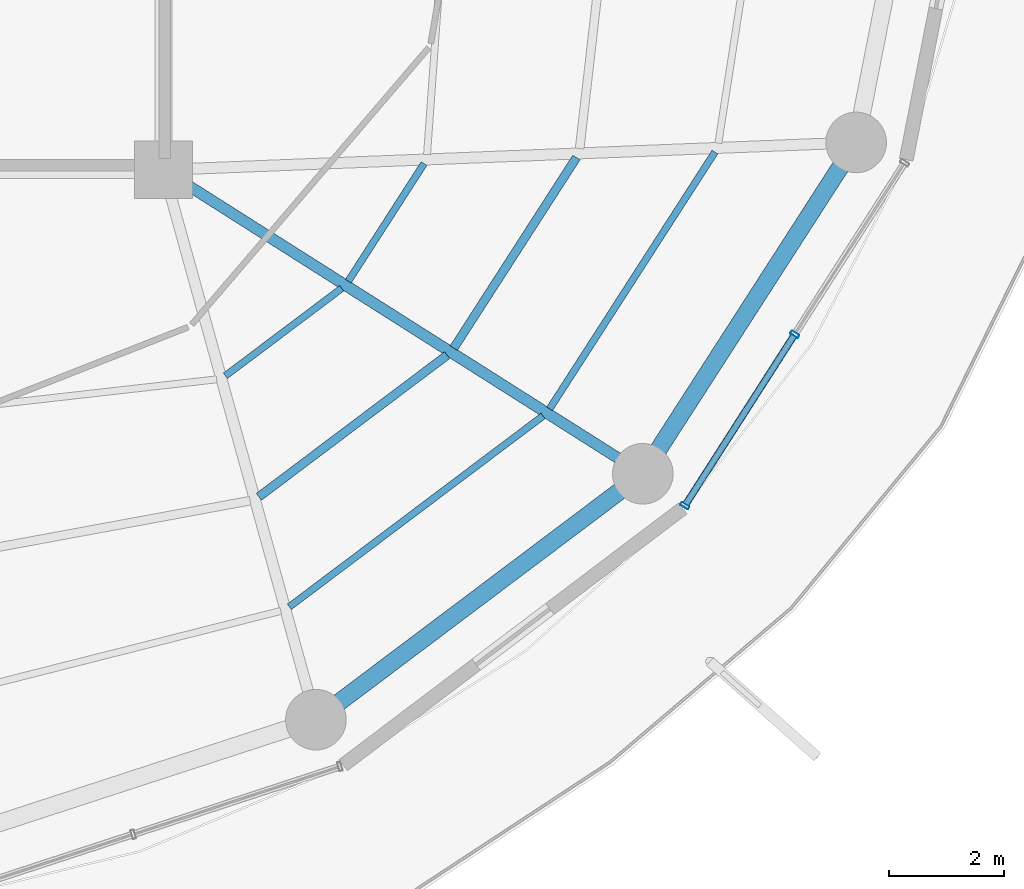
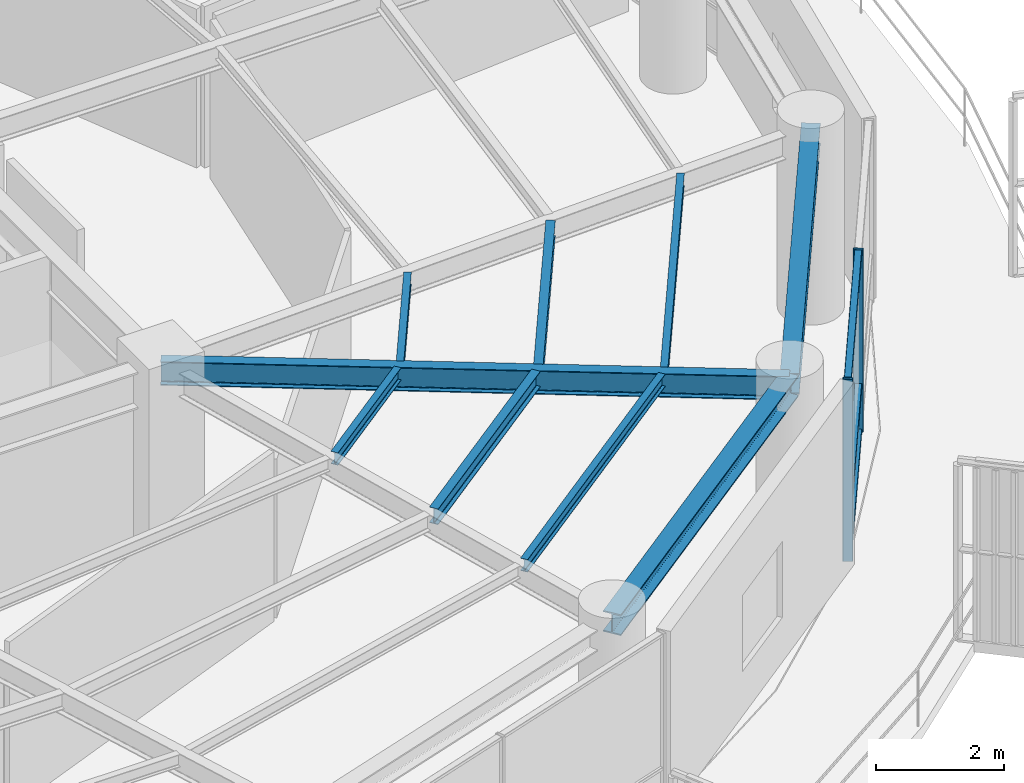
# One storey, part 11 of 31: 9 beams, 5 members, 1 element without a shape of its own.
"""IFC4 building model written with IfcOpenShell, lengths in metres."""

import ifcopenshell
import ifcopenshell.guid

model = None  # the IFC model being written
_history = None  # IfcOwnerHistory: only IFC2X3 demands one
_inside = {}  # id of a spatial element -> (the spatial element, [elements in it])
_under = {}  # id of a project, library or spatial element -> (it, [spatial elements below it])
_declared = {}  # id of a project -> (the project, [libraries it declares])
_typed = {}  # id of a type object -> (the type object, [elements of that type])
_made_of = {}  # id of a material, layer set ... -> (it, [elements and type objects made of it])


def new_model(schema):
    """Start an empty IFC model of exactly this schema.

    Asked for "IFC4X3", IfcOpenShell would pick the latest addendum, in which some entities
    have other attributes; the version numbers below select the first issue.
    IFC2X3 requires an IfcOwnerHistory on every rooted entity: one is made here for all.
    """
    global model, _history
    if schema == "IFC4X3":
        model = ifcopenshell.file(schema_version=(4, 3, 0, 0))
    else:
        model = ifcopenshell.file(schema=schema)
    _inside.clear()
    _under.clear()
    _declared.clear()
    _typed.clear()
    _made_of.clear()
    _history = None
    if model.schema == "IFC2X3":
        org = make("IfcOrganization", Name="unknown")
        user = make(
            "IfcPersonAndOrganization",
            ThePerson=make("IfcPerson", FamilyName="unknown"),
            TheOrganization=org,
        )
        app = make(
            "IfcApplication",
            ApplicationDeveloper=org,
            Version="unknown",
            ApplicationFullName="unknown",
            ApplicationIdentifier="unknown",
        )
        _history = make(
            "IfcOwnerHistory",
            OwningUser=user,
            OwningApplication=app,
            ChangeAction="ADDED",
            CreationDate=0,
        )
    return model


def make(cls, **values):
    """One entity of the class cls with the attributes given. An attribute that is None is left unset."""
    return model.create_entity(
        cls, **{name: value for name, value in values.items() if value is not None}
    )


def rooted(cls, **values):
    """An entity with a GlobalId (a new one), such as an element, a storey or a relation."""
    return make(cls, GlobalId=ifcopenshell.guid.new(), OwnerHistory=_history, **values)


def si_unit(unit_type, name, prefix=None):
    """IfcSIUnit, for example si_unit("LENGTHUNIT", "METRE", prefix="MILLI")."""
    return make("IfcSIUnit", UnitType=unit_type, Prefix=prefix, Name=name)


def assignment(units):
    """IfcUnitAssignment: the units of a project."""
    return None if units is None else make("IfcUnitAssignment", Units=units)


def point(xyz):
    """IfcCartesianPoint."""
    return None if xyz is None else make("IfcCartesianPoint", Coordinates=xyz)


def direction(xyz):
    """IfcDirection."""
    return None if xyz is None else make("IfcDirection", DirectionRatios=xyz)


def frame(location, z_axis=None, x_axis=None):
    """IfcAxis2Placement3D, a coordinate frame: its origin and axes. An axis left out is left unset."""
    return make(
        "IfcAxis2Placement3D",
        Location=point(location),
        Axis=direction(z_axis),
        RefDirection=direction(x_axis),
    )


def frame_2d(location, x_axis=None):
    """IfcAxis2Placement2D, a coordinate frame in the plane: its origin and x axis."""
    return make(
        "IfcAxis2Placement2D", Location=point(location), RefDirection=direction(x_axis)
    )


def origin():
    """The frame at (0, 0, 0) with its axes left unset."""
    return frame((0.0, 0.0, 0.0))


def origin_2d():
    """The frame at (0, 0) in the plane with its x axis left unset."""
    return frame_2d((0.0, 0.0))


def place(relative_to, where):
    """IfcLocalPlacement: puts the frame where relative to a parent placement (None: the world)."""
    return make(
        "IfcLocalPlacement", PlacementRelTo=relative_to, RelativePlacement=where
    )


def context(
    kind, dimensions, precision=None, world=None, true_north=None, identifier=None
):
    """IfcGeometricRepresentationContext, for example the 3D "Model" context."""
    return make(
        "IfcGeometricRepresentationContext",
        ContextIdentifier=identifier,
        ContextType=kind,
        CoordinateSpaceDimension=dimensions,
        Precision=precision,
        WorldCoordinateSystem=world,
        TrueNorth=true_north,
    )


def subcontext(parent, identifier, kind, view, scale=None):
    """IfcGeometricRepresentationSubContext, for example "Body" below "Model"."""
    return make(
        "IfcGeometricRepresentationSubContext",
        ContextIdentifier=identifier,
        ContextType=kind,
        ParentContext=parent,
        TargetScale=scale,
        TargetView=view,
    )


def project(units=None, contexts=None):
    """IfcProject with its units and contexts."""
    return rooted(
        "IfcProject",
        Name="project",
        RepresentationContexts=contexts,
        UnitsInContext=assignment(units),
    )


def spatial(cls, under=None, at=None, **own):
    """A site, building, storey or space (cls), placed at a placement, below another one or the project."""
    s = rooted(cls, ObjectPlacement=at, **own)
    if under is not None:
        _under.setdefault(under.id(), (under, []))[1].append(s)
    return s


def profile(cls, at=None, kind="AREA", **sizes):
    """A parametric profile (cls). Its sizes go by their IFC names, for example OverallWidth=200.0."""
    return make(cls, ProfileType=kind, Position=at, **sizes)


def hollow_rectangle(**sizes):
    """IfcRectangleHollowProfileDef."""
    return profile("IfcRectangleHollowProfileDef", **sizes)


def i_section(**sizes):
    """IfcIShapeProfileDef."""
    return profile("IfcIShapeProfileDef", **sizes)


def extrude(swept, where, along, depth):
    """IfcExtrudedAreaSolid: the profile swept, set in the frame where, extruded along a direction by depth."""
    return make(
        "IfcExtrudedAreaSolid",
        SweptArea=swept,
        Position=where,
        ExtrudedDirection=direction(along),
        Depth=depth,
    )


def shape(context_of_items, identifier, shape_type, items):
    """IfcShapeRepresentation: the items that make up one representation, for example the "Body"."""
    return make(
        "IfcShapeRepresentation",
        ContextOfItems=context_of_items,
        RepresentationIdentifier=identifier,
        RepresentationType=shape_type,
        Items=items,
    )


def material(Name=None, Category=None):
    """IfcMaterial."""
    return make("IfcMaterial", Name=Name, Category=Category)


def layer(
    of_material, thickness, ventilated=None, Name=None, Category=None, Priority=None
):
    """IfcMaterialLayer: one layer of a wall or slab, of a material (None: an air gap)."""
    return make(
        "IfcMaterialLayer",
        Material=of_material,
        LayerThickness=thickness,
        IsVentilated=ventilated,
        Name=Name,
        Category=Category,
        Priority=Priority,
    )


def layer_set(layers, Name=None):
    """IfcMaterialLayerSet."""
    return make("IfcMaterialLayerSet", MaterialLayers=layers, LayerSetName=Name)


def material_profile(
    of_material, cross_section, Name=None, Category=None, Priority=None
):
    """IfcMaterialProfile: a cross section and its material."""
    return make(
        "IfcMaterialProfile",
        Name=Name,
        Material=of_material,
        Profile=cross_section,
        Priority=Priority,
        Category=Category,
    )


def profile_set(profiles, Name=None, composite=None):
    """IfcMaterialProfileSet."""
    return make(
        "IfcMaterialProfileSet",
        Name=Name,
        MaterialProfiles=profiles,
        CompositeProfile=composite,
    )


def made_of(thing, what):
    """Note that an element or type object is made of a material, layer set ...; save() writes the relation."""
    if what is not None:
        _made_of.setdefault(what.id(), (what, []))[1].append(thing)
    return thing


def type_object(cls, material=None, **own):
    """A type object (cls), such as IfcWallType, which elements share."""
    return made_of(rooted(cls, **own), material)


def element(
    cls,
    number,
    at=None,
    inside=None,
    cuts=None,
    type_object=None,
    material=None,
    context=None,
    identifier="Body",
    shape_type=None,
    held_by="IfcProductDefinitionShape",
    body=None,
    shapes=None,
    **own,
):
    """One element of the class cls, such as IfcWall. Its Tag is "e" and its number.

    at: its placement. inside: the storey or other place that contains it. cuts: it is an
    opening in that element (IfcRelVoidsElement). A single representation is given by context,
    identifier, shape_type and body (its items); several are given by shapes. held_by: the class
    of the entity that holds the representations. save() writes the other relations.
    """
    e = rooted(cls, Tag="e%d" % number, ObjectPlacement=at, **own)
    if body is not None:
        shapes = [shape(context, identifier, shape_type, body)]
    if shapes is not None:
        e.Representation = make(held_by, Representations=shapes)
    if inside is not None:
        _inside.setdefault(inside.id(), (inside, []))[1].append(e)
    if cuts is not None:
        rooted(
            "IfcRelVoidsElement", RelatingBuildingElement=cuts, RelatedOpeningElement=e
        )
    if type_object is not None:
        _typed.setdefault(type_object.id(), (type_object, []))[1].append(e)
    return made_of(e, material)


def aggregate(whole, parts):
    """IfcRelAggregates: a whole, such as a stair, and the parts it consists of."""
    return rooted("IfcRelAggregates", RelatingObject=whole, RelatedObjects=parts)


def save(model, path):
    """Write the relations noted so far, then the file.

    IfcRelAggregates (storeys below a building ...), IfcRelContainedInSpatialStructure (elements
    in a storey), IfcRelDefinesByType, IfcRelAssociatesMaterial and IfcRelDeclares: one each for
    every whole, place, type object, material and project.
    """
    for whole, parts in _under.values():
        aggregate(whole, parts)
    for where, things in _inside.values():
        rooted(
            "IfcRelContainedInSpatialStructure",
            RelatedElements=things,
            RelatingStructure=where,
        )
    for kind, things in _typed.values():
        rooted("IfcRelDefinesByType", RelatedObjects=things, RelatingType=kind)
    for what, things in _made_of.values():
        rooted("IfcRelAssociatesMaterial", RelatedObjects=things, RelatingMaterial=what)
    for by, libraries in _declared.values():
        rooted("IfcRelDeclares", RelatingContext=by, RelatedDefinitions=libraries)
    model.write(path)


model = new_model("IFC4")

# Units and contexts
model_context = context("Model", 3, precision=1e-05, world=origin(), true_north=direction((0.0, 1.0)))
body_context = subcontext(model_context, "Body", "Model", "MODEL_VIEW")
ifc_project = project(units=[si_unit("LENGTHUNIT", "METRE"), si_unit("AREAUNIT", "SQUARE_METRE"), si_unit("VOLUMEUNIT", "CUBIC_METRE"), si_unit("PLANEANGLEUNIT", "RADIAN"), si_unit("MASSUNIT", "GRAM", prefix="KILO")], contexts=[model_context])

# Site, building, storey
site_placement = place(None, origin())
site = spatial("IfcSite", under=ifc_project, at=site_placement, CompositionType="ELEMENT")
building_placement = place(site_placement, origin())
building = spatial("IfcBuilding", under=site, at=building_placement, Name="Kelanora Arch Commons", CompositionType="ELEMENT")
storey_placement = place(building_placement, frame((0.0, 0.0, 230.699951171875)))
storey = spatial("IfcBuildingStorey", under=building, at=storey_placement, Name="L59", CompositionType="ELEMENT", Elevation=230.699951171875)

# Beams
ifc_material_1 = material(Name="Steel S355", Category="steel")
ifc_material_profile_1 = material_profile(ifc_material_1, i_section(OverallWidth=0.14990234375, OverallDepth=0.300048828125, WebThickness=0.007080078125, FlangeThickness=0.0107421875, FilletRadius=0.014892578125, at=origin_2d()), Name="IPE300")
ifc_profile_set_1 = profile_set([ifc_material_profile_1], Name="Steel S355")
beam_type_1 = type_object("IfcBeamType", Name="BM-JST-01", PredefinedType="JOIST", material=ifc_profile_set_1)
beam_1_placement = place(storey_placement, frame((83.65185546875, 45.3369140625, 3.340087890625), z_axis=(0.799101708656, 0.601195857624, 0.0), x_axis=(-0.601195857624, 0.799101708656, 0.0)))
element("IfcBeam", 1, at=beam_1_placement, inside=storey, type_object=beam_type_1, Name="Secondary Chord Joist BJB-30 L59", PredefinedType="JOIST", context=body_context, shape_type="SweptSolid", body=[
    extrude(i_section(OverallWidth=0.14990234375, OverallDepth=0.300048828125, WebThickness=0.007080078125, FlangeThickness=0.0107421875, FilletRadius=0.014892578125, at=origin_2d()), origin(), (0.0, 0.0, 1.0), 4.080810546875),
])
beam_2_placement = place(storey_placement, frame((87.02685546875, 47.912841796875, 3.340087890625), z_axis=(0.541411265892, 0.840757896879, 0.0), x_axis=(-0.840757896879, 0.541411265892, 0.0)))
element("IfcBeam", 2, at=beam_2_placement, inside=storey, type_object=beam_type_1, Name="Secondary Chord Joist BJB-32 L59", PredefinedType="JOIST", context=body_context, shape_type="SweptSolid", body=[
    extrude(i_section(OverallWidth=0.14990234375, OverallDepth=0.300048828125, WebThickness=0.007080078125, FlangeThickness=0.0107421875, FilletRadius=0.014892578125, at=origin_2d()), origin(), (0.0, 0.0, 1.0), 3.92529296875),
])
ifc_material_profile_2 = material_profile(ifc_material_1, i_section(OverallWidth=0.1201171875, OverallDepth=0.239990234375, WebThickness=0.006103515625, FlangeThickness=0.009765625, FilletRadius=0.014892578125, at=origin_2d()), Name="IPE240")
ifc_profile_set_2 = profile_set([ifc_material_profile_2], Name="Steel S355")
beam_type_2 = type_object("IfcBeamType", Name="BM-JST-02", PredefinedType="JOIST", material=ifc_profile_set_2)
beam_3_placement = place(storey_placement, frame((83.071044921875, 47.43212890625, 3.3701171875), z_axis=(0.79911638933, 0.601176343766, 0.0), x_axis=(-0.601176343766, 0.79911638933, 0.0)))
element("IfcBeam", 3, at=beam_3_placement, inside=storey, type_object=beam_type_2, Name="Secondary Chord Joist BJA-30 L59", PredefinedType="JOIST", context=body_context, shape_type="SweptSolid", body=[
    extrude(i_section(OverallWidth=0.1201171875, OverallDepth=0.239990234375, WebThickness=0.006103515625, FlangeThickness=0.009765625, FilletRadius=0.014892578125, at=origin_2d()), origin(), (0.0, 0.0, 1.0), 2.522216796875),
])
beam_4_placement = place(storey_placement, frame((84.179931640625, 43.43212890625, 3.3701171875), z_axis=(0.799109197935, 0.601185902842, 0.0), x_axis=(-0.601185902842, 0.799109197935, 0.0)))
element("IfcBeam", 4, at=beam_4_placement, inside=storey, type_object=beam_type_2, Name="Secondary Chord Joist BJC-30 L59", PredefinedType="JOIST", context=body_context, shape_type="SweptSolid", body=[
    extrude(i_section(OverallWidth=0.1201171875, OverallDepth=0.239990234375, WebThickness=0.006103515625, FlangeThickness=0.009765625, FilletRadius=0.014892578125, at=origin_2d()), origin(), (0.0, 0.0, 1.0), 5.497802734375),
])
beam_5_placement = place(storey_placement, frame((85.20068359375, 49.071044921875, 3.3701171875), z_axis=(0.541332763503, 0.840808443796, 0.0), x_axis=(-0.840808443796, 0.541332763503, 0.0)))
element("IfcBeam", 5, at=beam_5_placement, inside=storey, type_object=beam_type_2, Name="Secondary Chord Joist BJA-32 L59", PredefinedType="JOIST", context=body_context, shape_type="SweptSolid", body=[
    extrude(i_section(OverallWidth=0.1201171875, OverallDepth=0.239990234375, WebThickness=0.006103515625, FlangeThickness=0.009765625, FilletRadius=0.014892578125, at=origin_2d()), origin(), (0.0, 0.0, 1.0), 2.423583984375),
])
beam_6_placement = place(storey_placement, frame((88.68701171875, 46.85986328125, 3.3701171875), z_axis=(0.541382492679, 0.840776424872, 0.0), x_axis=(-0.840776424872, 0.541382492679, 0.0)))
element("IfcBeam", 6, at=beam_6_placement, inside=storey, type_object=beam_type_2, Name="Secondary Chord Joist BJC-32 L59", PredefinedType="JOIST", context=body_context, shape_type="SweptSolid", body=[
    extrude(i_section(OverallWidth=0.1201171875, OverallDepth=0.239990234375, WebThickness=0.006103515625, FlangeThickness=0.009765625, FilletRadius=0.014892578125, at=origin_2d()), origin(), (0.0, 0.0, 1.0), 5.29052734375),
])
ifc_material_profile_3 = material_profile(ifc_material_1, i_section(OverallWidth=0.18994140625, OverallDepth=0.449951171875, WebThickness=0.009521484375, FlangeThickness=0.0146484375, FilletRadius=0.02099609375, at=origin_2d()), Name="IPE450")
ifc_profile_set_3 = profile_set([ifc_material_profile_3], Name="Steel S355")
beam_type_3 = type_object("IfcBeamType", Name="BM-RAD-Z4", PredefinedType="BEAM", material=ifc_profile_set_3)
beam_7_placement = place(storey_placement, frame((82.0, 51.0, 3.26513671875), z_axis=(0.844507208607, -0.535544185489, 0.0), x_axis=(0.535544185489, 0.844507208607, 0.0)))
element("IfcBeam", 7, at=beam_7_placement, inside=storey, type_object=beam_type_3, Name="Radial Floor Girder BR-32 L59", PredefinedType="BEAM", context=body_context, shape_type="SweptSolid", body=[
    extrude(i_section(OverallWidth=0.18994140625, OverallDepth=0.449951171875, WebThickness=0.009521484375, FlangeThickness=0.0146484375, FilletRadius=0.02099609375, at=origin_2d()), origin(), (0.0, 0.0, 1.0), 9.830078125),
])
ifc_material_profile_4 = material_profile(ifc_material_1, i_section(OverallWidth=0.300048828125, OverallDepth=0.39990234375, WebThickness=0.013427734375, FlangeThickness=0.02392578125, FilletRadius=0.027099609375, at=origin_2d()), Name="HEB400")
ifc_profile_set_4 = profile_set([ifc_material_profile_4], Name="Steel S355")
beam_type_4 = type_object("IfcBeamType", Name="BM-SPN-Z4", PredefinedType="SPANDREL", material=ifc_profile_set_4)
beam_8_placement = place(storey_placement, frame((84.639892578125, 41.476318359375, 3.2900390625), z_axis=(0.799114211715, 0.60117923836, 0.0), x_axis=(-0.60117923836, 0.799114211715, 0.0)))
element("IfcBeam", 8, at=beam_8_placement, inside=storey, type_object=beam_type_4, Name="Perimeter Spandrel Beam BS-30 L59", PredefinedType="SPANDREL", context=body_context, shape_type="SweptSolid", body=[
    extrude(i_section(OverallWidth=0.300048828125, OverallDepth=0.39990234375, WebThickness=0.013427734375, FlangeThickness=0.02392578125, FilletRadius=0.027099609375, at=origin_2d()), origin(), (0.0, 0.0, 1.0), 7.0849609375),
])
beam_9_placement = place(storey_placement, frame((90.301513671875, 45.735595703125, 3.2900390625), z_axis=(0.541364878868, 0.840787766281, 0.0), x_axis=(-0.840787766281, 0.541364878868, 0.0)))
element("IfcBeam", 9, at=beam_9_placement, inside=storey, type_object=beam_type_4, Name="Perimeter Spandrel Beam BS-32 L59", PredefinedType="SPANDREL", context=body_context, shape_type="SweptSolid", body=[
    extrude(i_section(OverallWidth=0.300048828125, OverallDepth=0.39990234375, WebThickness=0.013427734375, FlangeThickness=0.02392578125, FilletRadius=0.027099609375, at=origin_2d()), origin(), (0.0, 0.0, 1.0), 6.825439453125),
])

# Curtain wall, members
ifc_material_2 = material(Name="Terracotta ceramic-fritted low-E glass and aluminium", Category="masonry")
ifc_layer = layer(ifc_material_2, 0.175048828125)
ifc_layer_set = layer_set([ifc_layer], Name="Terracotta ceramic-fritted low-E glass and aluminium")
curtain_wall_type = type_object("IfcCurtainWallType", Name="CW-SYS-02", PredefinedType="NOTDEFINED", material=ifc_layer_set)
curtain_wall_placement = place(storey_placement, origin())
curtain_wall = element("IfcCurtainWall", 10, at=curtain_wall_placement, inside=storey, type_object=curtain_wall_type, Name="Unitised Curtain Wall L59-B16", PredefinedType="NOTDEFINED")
ifc_material_3 = material(Name="Powder-coated aluminium terracotta", Category="masonry")
ifc_material_profile_5 = material_profile(ifc_material_3, hollow_rectangle(XDim=0.159912109375, YDim=0.06005859375, WallThickness=0.0048828125, InnerFilletRadius=0.0048828125, OuterFilletRadius=0.010009765625, at=origin_2d()), Name="CWM160x60")
ifc_profile_set_5 = profile_set([ifc_material_profile_5], Name="Powder-coated aluminium terracotta")
member_type_1 = type_object("IfcMemberType", Name="CWM-STD", PredefinedType="MULLION", material=ifc_profile_set_5)
member_1_placement = place(storey_placement, frame((91.030517578125, 45.18212890625, 0.0), z_axis=(0.0, 0.0, 1.0), x_axis=(-0.84194757539, 0.539559338994, 0.0)))
member_1 = element("IfcMember", 11, at=member_1_placement, type_object=member_type_1, Name="CW-02 mullion 1", PredefinedType="MULLION", context=body_context, shape_type="SweptSolid", body=[
    extrude(hollow_rectangle(XDim=0.159912109375, YDim=0.06005859375, WallThickness=0.0048828125, InnerFilletRadius=0.0048828125, OuterFilletRadius=0.010009765625, at=origin_2d()), origin(), (0.0, 0.0, 1.0), 3.47509765625),
])
member_2_placement = place(storey_placement, frame((92.93359375, 48.15185546875, 0.0), z_axis=(0.0, 0.0, 1.0), x_axis=(-0.84194757539, 0.539559338994, 0.0)))
member_2 = element("IfcMember", 12, at=member_2_placement, type_object=member_type_1, Name="CW-02 mullion 2", PredefinedType="MULLION", context=body_context, shape_type="SweptSolid", body=[
    extrude(hollow_rectangle(XDim=0.159912109375, YDim=0.06005859375, WallThickness=0.0048828125, InnerFilletRadius=0.0048828125, OuterFilletRadius=0.010009765625, at=origin_2d()), origin(), (0.0, 0.0, 1.0), 3.47509765625),
])
ifc_material_profile_6 = material_profile(ifc_material_3, hollow_rectangle(XDim=0.1201171875, YDim=0.06005859375, WallThickness=0.0048828125, InnerFilletRadius=0.0048828125, OuterFilletRadius=0.010009765625, at=origin_2d()), Name="CWT120x60")
ifc_profile_set_6 = profile_set([ifc_material_profile_6], Name="Powder-coated aluminium terracotta")
member_type_2 = type_object("IfcMemberType", Name="CWT-STD", PredefinedType="USERDEFINED", material=ifc_profile_set_6)
member_3_placement = place(storey_placement, frame((91.046630859375, 45.207275390625, 0.030029296875), z_axis=(0.53954710894, 0.841955412854, 0.0), x_axis=(-0.841955412854, 0.53954710894, 0.0)))
member_3 = element("IfcMember", 13, at=member_3_placement, type_object=member_type_2, Name="CW-02 transom 1.1", ObjectType="TRANSOM", PredefinedType="USERDEFINED", context=body_context, shape_type="SweptSolid", body=[
    extrude(hollow_rectangle(XDim=0.1201171875, YDim=0.06005859375, WallThickness=0.0048828125, InnerFilletRadius=0.0048828125, OuterFilletRadius=0.010009765625, at=origin_2d()), origin(), (0.0, 0.0, 1.0), 3.467529296875),
])
member_4_placement = place(storey_placement, frame((91.046630859375, 45.207275390625, 0.900146484375), z_axis=(0.53954710894, 0.841955412854, 0.0), x_axis=(-0.841955412854, 0.53954710894, 0.0)))
member_4 = element("IfcMember", 14, at=member_4_placement, type_object=member_type_2, Name="CW-02 transom 1.2", ObjectType="TRANSOM", PredefinedType="USERDEFINED", context=body_context, shape_type="SweptSolid", body=[
    extrude(hollow_rectangle(XDim=0.1201171875, YDim=0.06005859375, WallThickness=0.0048828125, InnerFilletRadius=0.0048828125, OuterFilletRadius=0.010009765625, at=origin_2d()), origin(), (0.0, 0.0, 1.0), 3.467529296875),
])
member_5_placement = place(storey_placement, frame((91.046630859375, 45.207275390625, 3.445068359375), z_axis=(0.53954710894, 0.841955412854, 0.0), x_axis=(-0.841955412854, 0.53954710894, 0.0)))
member_5 = element("IfcMember", 15, at=member_5_placement, type_object=member_type_2, Name="CW-02 transom 1.3", ObjectType="TRANSOM", PredefinedType="USERDEFINED", context=body_context, shape_type="SweptSolid", body=[
    extrude(hollow_rectangle(XDim=0.1201171875, YDim=0.06005859375, WallThickness=0.0048828125, InnerFilletRadius=0.0048828125, OuterFilletRadius=0.010009765625, at=origin_2d()), origin(), (0.0, 0.0, 1.0), 3.467529296875),
])
aggregate(curtain_wall, [member_1, member_2, member_3, member_4, member_5])

save(model, "model.ifc")
